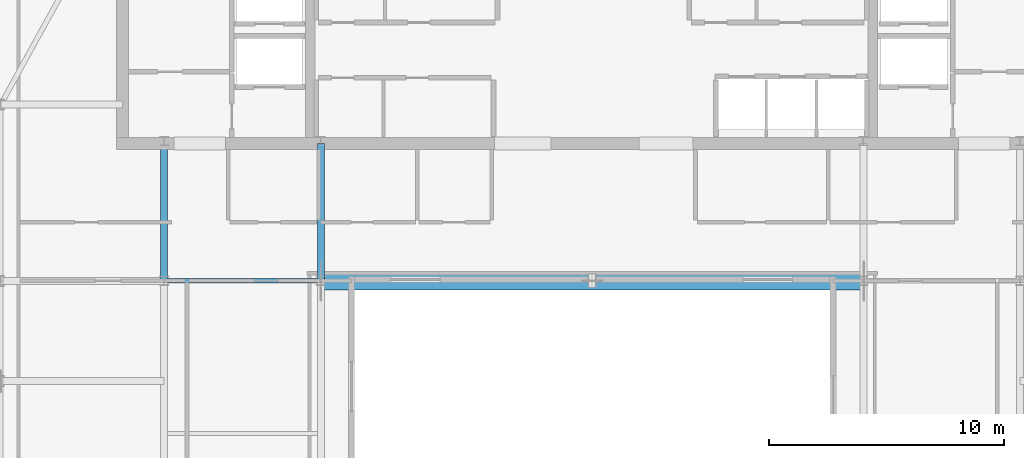
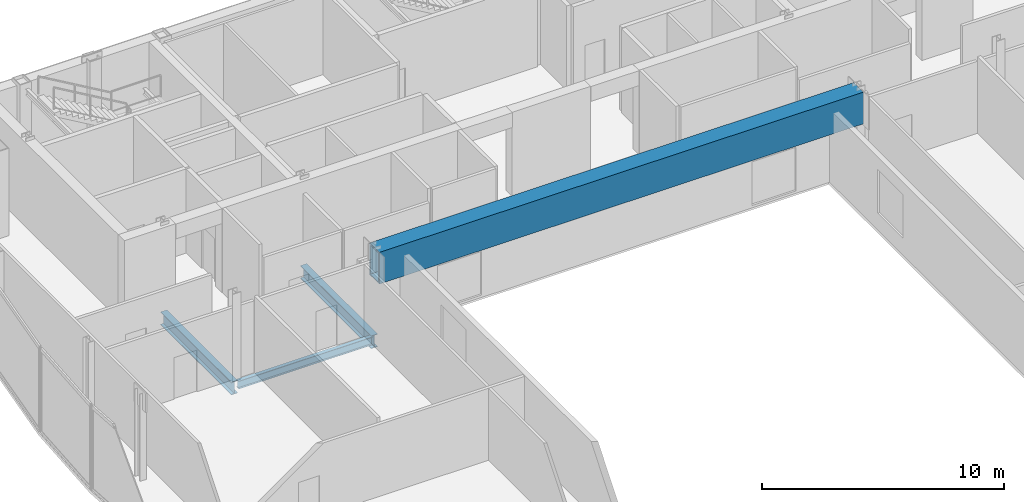
# One storey, part 11 of 27: 4 beams.
"""IFC4 building model written with IfcOpenShell, lengths in metres."""

import ifcopenshell
import ifcopenshell.guid

model = None  # the IFC model being written
_history = None  # IfcOwnerHistory: only IFC2X3 demands one
_inside = {}  # id of a spatial element -> (the spatial element, [elements in it])
_under = {}  # id of a project, library or spatial element -> (it, [spatial elements below it])
_declared = {}  # id of a project -> (the project, [libraries it declares])
_typed = {}  # id of a type object -> (the type object, [elements of that type])
_made_of = {}  # id of a material, layer set ... -> (it, [elements and type objects made of it])


def new_model(schema):
    """Start an empty IFC model of exactly this schema.

    Asked for "IFC4X3", IfcOpenShell would pick the latest addendum, in which some entities
    have other attributes; the version numbers below select the first issue.
    IFC2X3 requires an IfcOwnerHistory on every rooted entity: one is made here for all.
    """
    global model, _history
    if schema == "IFC4X3":
        model = ifcopenshell.file(schema_version=(4, 3, 0, 0))
    else:
        model = ifcopenshell.file(schema=schema)
    _inside.clear()
    _under.clear()
    _declared.clear()
    _typed.clear()
    _made_of.clear()
    _history = None
    if model.schema == "IFC2X3":
        org = make("IfcOrganization", Name="unknown")
        user = make(
            "IfcPersonAndOrganization",
            ThePerson=make("IfcPerson", FamilyName="unknown"),
            TheOrganization=org,
        )
        app = make(
            "IfcApplication",
            ApplicationDeveloper=org,
            Version="unknown",
            ApplicationFullName="unknown",
            ApplicationIdentifier="unknown",
        )
        _history = make(
            "IfcOwnerHistory",
            OwningUser=user,
            OwningApplication=app,
            ChangeAction="ADDED",
            CreationDate=0,
        )
    return model


def make(cls, **values):
    """One entity of the class cls with the attributes given. An attribute that is None is left unset."""
    return model.create_entity(
        cls, **{name: value for name, value in values.items() if value is not None}
    )


def rooted(cls, **values):
    """An entity with a GlobalId (a new one), such as an element, a storey or a relation."""
    return make(cls, GlobalId=ifcopenshell.guid.new(), OwnerHistory=_history, **values)


def si_unit(unit_type, name, prefix=None):
    """IfcSIUnit, for example si_unit("LENGTHUNIT", "METRE", prefix="MILLI")."""
    return make("IfcSIUnit", UnitType=unit_type, Prefix=prefix, Name=name)


def assignment(units):
    """IfcUnitAssignment: the units of a project."""
    return None if units is None else make("IfcUnitAssignment", Units=units)


def point(xyz):
    """IfcCartesianPoint."""
    return None if xyz is None else make("IfcCartesianPoint", Coordinates=xyz)


def direction(xyz):
    """IfcDirection."""
    return None if xyz is None else make("IfcDirection", DirectionRatios=xyz)


def frame(location, z_axis=None, x_axis=None):
    """IfcAxis2Placement3D, a coordinate frame: its origin and axes. An axis left out is left unset."""
    return make(
        "IfcAxis2Placement3D",
        Location=point(location),
        Axis=direction(z_axis),
        RefDirection=direction(x_axis),
    )


def frame_2d(location, x_axis=None):
    """IfcAxis2Placement2D, a coordinate frame in the plane: its origin and x axis."""
    return make(
        "IfcAxis2Placement2D", Location=point(location), RefDirection=direction(x_axis)
    )


def origin():
    """The frame at (0, 0, 0) with its axes left unset."""
    return frame((0.0, 0.0, 0.0))


def origin_2d():
    """The frame at (0, 0) in the plane with its x axis left unset."""
    return frame_2d((0.0, 0.0))


def place(relative_to, where):
    """IfcLocalPlacement: puts the frame where relative to a parent placement (None: the world)."""
    return make(
        "IfcLocalPlacement", PlacementRelTo=relative_to, RelativePlacement=where
    )


def context(
    kind, dimensions, precision=None, world=None, true_north=None, identifier=None
):
    """IfcGeometricRepresentationContext, for example the 3D "Model" context."""
    return make(
        "IfcGeometricRepresentationContext",
        ContextIdentifier=identifier,
        ContextType=kind,
        CoordinateSpaceDimension=dimensions,
        Precision=precision,
        WorldCoordinateSystem=world,
        TrueNorth=true_north,
    )


def subcontext(parent, identifier, kind, view, scale=None):
    """IfcGeometricRepresentationSubContext, for example "Body" below "Model"."""
    return make(
        "IfcGeometricRepresentationSubContext",
        ContextIdentifier=identifier,
        ContextType=kind,
        ParentContext=parent,
        TargetScale=scale,
        TargetView=view,
    )


def project(units=None, contexts=None):
    """IfcProject with its units and contexts."""
    return rooted(
        "IfcProject",
        Name="project",
        RepresentationContexts=contexts,
        UnitsInContext=assignment(units),
    )


def spatial(cls, under=None, at=None, **own):
    """A site, building, storey or space (cls), placed at a placement, below another one or the project."""
    s = rooted(cls, ObjectPlacement=at, **own)
    if under is not None:
        _under.setdefault(under.id(), (under, []))[1].append(s)
    return s


def profile(cls, at=None, kind="AREA", **sizes):
    """A parametric profile (cls). Its sizes go by their IFC names, for example OverallWidth=200.0."""
    return make(cls, ProfileType=kind, Position=at, **sizes)


def hollow_rectangle(**sizes):
    """IfcRectangleHollowProfileDef."""
    return profile("IfcRectangleHollowProfileDef", **sizes)


def i_section(**sizes):
    """IfcIShapeProfileDef."""
    return profile("IfcIShapeProfileDef", **sizes)


def extrude(swept, where, along, depth):
    """IfcExtrudedAreaSolid: the profile swept, set in the frame where, extruded along a direction by depth."""
    return make(
        "IfcExtrudedAreaSolid",
        SweptArea=swept,
        Position=where,
        ExtrudedDirection=direction(along),
        Depth=depth,
    )


def shape(context_of_items, identifier, shape_type, items):
    """IfcShapeRepresentation: the items that make up one representation, for example the "Body"."""
    return make(
        "IfcShapeRepresentation",
        ContextOfItems=context_of_items,
        RepresentationIdentifier=identifier,
        RepresentationType=shape_type,
        Items=items,
    )


def material(Name=None, Category=None):
    """IfcMaterial."""
    return make("IfcMaterial", Name=Name, Category=Category)


def material_profile(
    of_material, cross_section, Name=None, Category=None, Priority=None
):
    """IfcMaterialProfile: a cross section and its material."""
    return make(
        "IfcMaterialProfile",
        Name=Name,
        Material=of_material,
        Profile=cross_section,
        Priority=Priority,
        Category=Category,
    )


def profile_set(profiles, Name=None, composite=None):
    """IfcMaterialProfileSet."""
    return make(
        "IfcMaterialProfileSet",
        Name=Name,
        MaterialProfiles=profiles,
        CompositeProfile=composite,
    )


def made_of(thing, what):
    """Note that an element or type object is made of a material, layer set ...; save() writes the relation."""
    if what is not None:
        _made_of.setdefault(what.id(), (what, []))[1].append(thing)
    return thing


def type_object(cls, material=None, **own):
    """A type object (cls), such as IfcWallType, which elements share."""
    return made_of(rooted(cls, **own), material)


def element(
    cls,
    number,
    at=None,
    inside=None,
    cuts=None,
    type_object=None,
    material=None,
    context=None,
    identifier="Body",
    shape_type=None,
    held_by="IfcProductDefinitionShape",
    body=None,
    shapes=None,
    **own,
):
    """One element of the class cls, such as IfcWall. Its Tag is "e" and its number.

    at: its placement. inside: the storey or other place that contains it. cuts: it is an
    opening in that element (IfcRelVoidsElement). A single representation is given by context,
    identifier, shape_type and body (its items); several are given by shapes. held_by: the class
    of the entity that holds the representations. save() writes the other relations.
    """
    e = rooted(cls, Tag="e%d" % number, ObjectPlacement=at, **own)
    if body is not None:
        shapes = [shape(context, identifier, shape_type, body)]
    if shapes is not None:
        e.Representation = make(held_by, Representations=shapes)
    if inside is not None:
        _inside.setdefault(inside.id(), (inside, []))[1].append(e)
    if cuts is not None:
        rooted(
            "IfcRelVoidsElement", RelatingBuildingElement=cuts, RelatedOpeningElement=e
        )
    if type_object is not None:
        _typed.setdefault(type_object.id(), (type_object, []))[1].append(e)
    return made_of(e, material)


def aggregate(whole, parts):
    """IfcRelAggregates: a whole, such as a stair, and the parts it consists of."""
    return rooted("IfcRelAggregates", RelatingObject=whole, RelatedObjects=parts)


def save(model, path):
    """Write the relations noted so far, then the file.

    IfcRelAggregates (storeys below a building ...), IfcRelContainedInSpatialStructure (elements
    in a storey), IfcRelDefinesByType, IfcRelAssociatesMaterial and IfcRelDeclares: one each for
    every whole, place, type object, material and project.
    """
    for whole, parts in _under.values():
        aggregate(whole, parts)
    for where, things in _inside.values():
        rooted(
            "IfcRelContainedInSpatialStructure",
            RelatedElements=things,
            RelatingStructure=where,
        )
    for kind, things in _typed.values():
        rooted("IfcRelDefinesByType", RelatedObjects=things, RelatingType=kind)
    for what, things in _made_of.values():
        rooted("IfcRelAssociatesMaterial", RelatedObjects=things, RelatingMaterial=what)
    for by, libraries in _declared.values():
        rooted("IfcRelDeclares", RelatingContext=by, RelatedDefinitions=libraries)
    model.write(path)


model = new_model("IFC4")

# Units and contexts
model_context = context("Model", 3, precision=1e-05, world=origin(), true_north=direction((0.0, 1.0)))
body_context = subcontext(model_context, "Body", "Model", "MODEL_VIEW")
ifc_project = project(units=[si_unit("LENGTHUNIT", "METRE"), si_unit("AREAUNIT", "SQUARE_METRE"), si_unit("VOLUMEUNIT", "CUBIC_METRE"), si_unit("PLANEANGLEUNIT", "RADIAN"), si_unit("MASSUNIT", "GRAM", prefix="KILO")], contexts=[model_context])

# Site, building, storey
site_placement = place(None, origin())
site = spatial("IfcSite", under=ifc_project, at=site_placement, CompositionType="ELEMENT")
building_placement = place(site_placement, origin())
building = spatial("IfcBuilding", under=site, at=building_placement, Name="Khoronbel Lancet Exchange", CompositionType="ELEMENT")
storey_placement = place(building_placement, frame((0.0, 0.0, 310.199951171875)))
storey = spatial("IfcBuildingStorey", under=building, at=storey_placement, Name="L80", CompositionType="ELEMENT", Elevation=310.199951171875)

# Beams
ifc_material_1 = material(Name="Steel S355", Category="steel")
ifc_material_profile_1 = material_profile(ifc_material_1, i_section(OverallWidth=0.300048828125, OverallDepth=0.64990234375, WebThickness=0.01611328125, FlangeThickness=0.031005859375, at=origin_2d()), Name="HEB 650")
ifc_profile_set_1 = profile_set([ifc_material_profile_1], Name="Steel S355")
beam_type_1 = type_object("IfcBeamType", Name="BM-BG4", PredefinedType="BEAM", material=ifc_profile_set_1)
for number, where, z_axis, x_axis, name in (
    (1, (18.22509765625, 35.699951171875, -0.48486328125), (0.0, 1.0, 0.0), (-1.0, 0.0, 0.0), "Level L80 spine tie girder GN1"),
    (2, (24.89990234375, 35.699951171875, -0.48486328125), (0.0, 1.0, 0.0), (-1.0, 0.0, 0.0), "Level L80 spine tie girder GN2"),
):
    element("IfcBeam", number, at=place(storey_placement, frame(where, z_axis=z_axis, x_axis=x_axis)), inside=storey, type_object=beam_type_1, Name=name, PredefinedType="BEAM", context=body_context, shape_type="SweptSolid", body=[
        extrude(i_section(OverallWidth=0.300048828125, OverallDepth=0.64990234375, WebThickness=0.01611328125, FlangeThickness=0.031005859375, at=origin_2d()), origin(), (0.0, 0.0, 1.0), 5.85009765625),
    ])
ifc_material_profile_2 = material_profile(ifc_material_1, i_section(OverallWidth=0.179931640625, OverallDepth=0.39990234375, WebThickness=0.008544921875, FlangeThickness=0.013427734375, at=origin_2d()), Name="IPE 400")
ifc_profile_set_2 = profile_set([ifc_material_profile_2], Name="Steel S355")
beam_type_2 = type_object("IfcBeamType", Name="BM-BJ5", PredefinedType="JOIST", material=ifc_profile_set_2)
beam_1_placement = place(storey_placement, frame((18.375, 35.699951171875, -0.35986328125), z_axis=(1.0, 0.0, 0.0), x_axis=(0.0, 1.0, 0.0)))
element("IfcBeam", 3, at=beam_1_placement, inside=storey, type_object=beam_type_2, Name="Level L80 secondary composite joist J07", PredefinedType="JOIST", context=body_context, shape_type="SweptSolid", body=[
    extrude(i_section(OverallWidth=0.179931640625, OverallDepth=0.39990234375, WebThickness=0.008544921875, FlangeThickness=0.013427734375, at=origin_2d()), origin(), (0.0, 0.0, 1.0), 6.375),
])
ifc_material_2 = material(Name="Steel S460", Category="steel")
ifc_material_profile_3 = material_profile(ifc_material_2, hollow_rectangle(XDim=0.800048828125, YDim=1.60009765625, WallThickness=0.06494140625, at=origin_2d()), Name="BOX 800x1600x65")
ifc_profile_set_3 = profile_set([ifc_material_profile_3], Name="Steel S460")
beam_type_3 = type_object("IfcBeamType", Name="BM-TG2", PredefinedType="USERDEFINED", material=ifc_profile_set_3)
beam_2_placement = place(storey_placement, frame((24.89990234375, 35.699951171875, 3.43994140625), z_axis=(1.0, 0.0, 0.0), x_axis=(0.0, 1.0, 0.0)))
element("IfcBeam", 4, at=beam_2_placement, inside=storey, type_object=beam_type_3, Name="Wind portal header transfer girder N", ObjectType="TRANSFER GIRDER", PredefinedType="USERDEFINED", context=body_context, shape_type="SweptSolid", body=[
    extrude(hollow_rectangle(XDim=0.800048828125, YDim=1.60009765625, WallThickness=0.06494140625, at=origin_2d()), origin(), (0.0, 0.0, 1.0), 23.10009765625),
])

save(model, "model.ifc")
